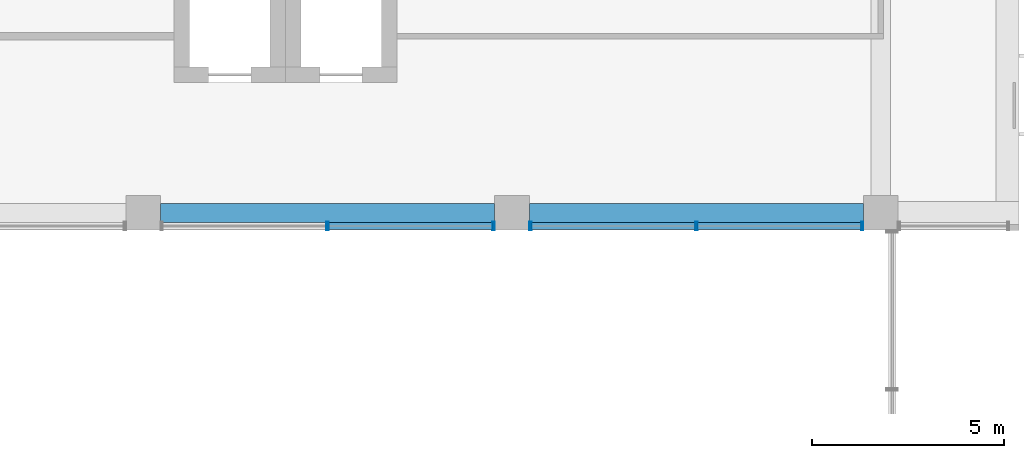
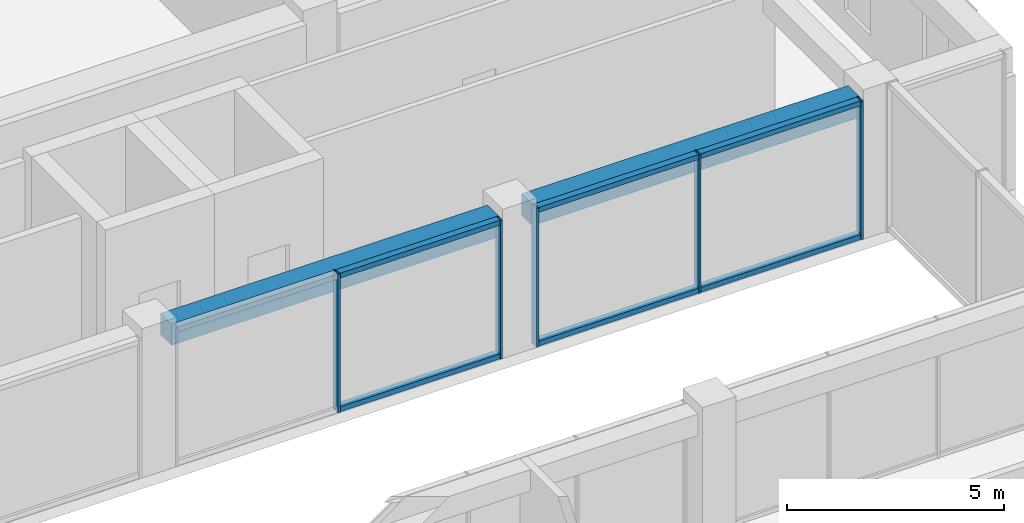
# One storey, part 18 of 37: 11 members, 2 beams, 2 elements without a shape of their own.
"""IFC4 building model written with IfcOpenShell, lengths in metres."""

from ifc_helpers import new_model, si_unit, direction, frame, origin, origin_2d, place, context, subcontext, project, spatial, rectangle, hollow_rectangle, extrude, material, layer, layer_set, material_profile, profile_set, type_object, element, aggregate, save


model = new_model("IFC4")

# Units and contexts
model_context = context("Model", 3, precision=1e-05, world=origin(), true_north=direction((0.0, 1.0)))
body_context = subcontext(model_context, "Body", "Model", "MODEL_VIEW")
ifc_project = project(units=[si_unit("LENGTHUNIT", "METRE"), si_unit("AREAUNIT", "SQUARE_METRE"), si_unit("VOLUMEUNIT", "CUBIC_METRE"), si_unit("PLANEANGLEUNIT", "RADIAN"), si_unit("MASSUNIT", "GRAM", prefix="KILO")], contexts=[model_context])

# Site, building, storey
site_placement = place(None, origin())
site = spatial("IfcSite", under=ifc_project, at=site_placement, CompositionType="ELEMENT")
building_placement = place(site_placement, origin())
building = spatial("IfcBuilding", under=site, at=building_placement, Name="Nzadi Deep Aquarium and Research Tower", CompositionType="ELEMENT")
storey_placement = place(building_placement, frame((0.0, 0.0, 57.10009765625)))
storey = spatial("IfcBuildingStorey", under=building, at=storey_placement, Name="L11", CompositionType="ELEMENT", Elevation=57.10009765625)

# Curtain wall, members
ifc_material_1 = material(Name="Aluminium unitised frame deep", Category="aluminium")
ifc_layer = layer(ifc_material_1, 0.22509765625)
ifc_layer_set = layer_set([ifc_layer], Name="Aluminium unitised frame deep")
curtain_wall_type = type_object("IfcCurtainWallType", Name="Curtain wall Unitised Deep 225", PredefinedType="NOTDEFINED", material=ifc_layer_set)
curtain_wall_1_placement = place(storey_placement, origin())
curtain_wall_1 = element("IfcCurtainWall", 1, at=curtain_wall_1_placement, inside=storey, type_object=curtain_wall_type, Name="Unitised curtain wall blade B south L11", PredefinedType="NOTDEFINED")
ifc_material_2 = material(Name="Aluminium unitised frame deep", Category="aluminium")
ifc_material_profile_1 = material_profile(ifc_material_2, hollow_rectangle(XDim=0.22509765625, YDim=0.06005859375, WallThickness=0.0048828125, at=origin_2d()))
ifc_profile_set_1 = profile_set([ifc_material_profile_1], Name="Aluminium unitised frame deep")
member_type_1 = type_object("IfcMemberType", Name="Mullion 60x225 Unitised Deep", PredefinedType="MULLION", material=ifc_profile_set_1)
member_1_placement = place(storey_placement, frame((33.60009765625, 27.262451171875, 0.0), z_axis=(0.0, 0.0, 1.0), x_axis=(0.0, 1.0, 0.0)))
member_1 = element("IfcMember", 2, at=member_1_placement, type_object=member_type_1, Name="CW143 mullion 2", PredefinedType="MULLION", context=body_context, shape_type="SweptSolid", body=[
    extrude(hollow_rectangle(XDim=0.22509765625, YDim=0.06005859375, WallThickness=0.0048828125, at=origin_2d()), origin(), (0.0, 0.0, 1.0), 3.89990234375),
])
member_2_placement = place(storey_placement, frame((37.919921875, 27.262451171875, 0.0), z_axis=(0.0, 0.0, 1.0), x_axis=(0.0, 1.0, 0.0)))
member_2 = element("IfcMember", 3, at=member_2_placement, type_object=member_type_1, Name="CW143 mullion 3", PredefinedType="MULLION", context=body_context, shape_type="SweptSolid", body=[
    extrude(hollow_rectangle(XDim=0.22509765625, YDim=0.06005859375, WallThickness=0.0048828125, at=origin_2d()), origin(), (0.0, 0.0, 1.0), 3.89990234375),
])

curtain_wall_2_placement = place(storey_placement, origin())
curtain_wall_2 = element("IfcCurtainWall", 4, at=curtain_wall_2_placement, inside=storey, type_object=curtain_wall_type, Name="Unitised curtain wall blade B south L11", PredefinedType="NOTDEFINED")
member_3_placement = place(storey_placement, frame((38.8798828125, 27.262451171875, 0.0), z_axis=(0.0, 0.0, 1.0), x_axis=(0.0, 1.0, 0.0)))
member_3 = element("IfcMember", 5, at=member_3_placement, type_object=member_type_1, Name="CW144 mullion 1", PredefinedType="MULLION", context=body_context, shape_type="SweptSolid", body=[
    extrude(hollow_rectangle(XDim=0.22509765625, YDim=0.06005859375, WallThickness=0.0048828125, at=origin_2d()), origin(), (0.0, 0.0, 1.0), 3.89990234375),
])
member_4_placement = place(storey_placement, frame((43.199951171875, 27.262451171875, 0.0), z_axis=(0.0, 0.0, 1.0), x_axis=(0.0, 1.0, 0.0)))
member_4 = element("IfcMember", 6, at=member_4_placement, type_object=member_type_1, Name="CW144 mullion 2", PredefinedType="MULLION", context=body_context, shape_type="SweptSolid", body=[
    extrude(hollow_rectangle(XDim=0.22509765625, YDim=0.06005859375, WallThickness=0.0048828125, at=origin_2d()), origin(), (0.0, 0.0, 1.0), 3.89990234375),
])
member_5_placement = place(storey_placement, frame((47.52001953125, 27.262451171875, 0.0), z_axis=(0.0, 0.0, 1.0), x_axis=(0.0, 1.0, 0.0)))
member_5 = element("IfcMember", 7, at=member_5_placement, type_object=member_type_1, Name="CW144 mullion 3", PredefinedType="MULLION", context=body_context, shape_type="SweptSolid", body=[
    extrude(hollow_rectangle(XDim=0.22509765625, YDim=0.06005859375, WallThickness=0.0048828125, at=origin_2d()), origin(), (0.0, 0.0, 1.0), 3.89990234375),
])

# Beams
ifc_material_3 = material(Name="Concrete C35/45", Category="concrete")
ifc_material_profile_2 = material_profile(ifc_material_3, rectangle(XDim=0.5, YDim=0.60009765625, at=origin_2d()))
ifc_profile_set_2 = profile_set([ifc_material_profile_2], Name="Concrete C35/45")
beam_type = type_object("IfcBeamType", Name="RC 500x600", PredefinedType="BEAM", material=ifc_profile_set_2)
for number, where, z_axis, x_axis, name in (
    (8, (29.25, 27.60009765625, 3.599853515625), (1.0, 0.0, 0.0), (0.0, 1.0, 0.0), "B-Z1-L11-L4-4"),
    (9, (38.85009765625, 27.60009765625, 3.599853515625), (1.0, 0.0, 0.0), (0.0, 1.0, 0.0), "B-Z1-L11-L4-5"),
):
    element("IfcBeam", number, at=place(storey_placement, frame(where, z_axis=z_axis, x_axis=x_axis)), inside=storey, type_object=beam_type, Name=name, PredefinedType="BEAM", context=body_context, shape_type="SweptSolid", body=[
        extrude(rectangle(XDim=0.5, YDim=0.60009765625, at=origin_2d()), origin(), (0.0, 0.0, 1.0), 8.699951171875),
    ])

# Member
ifc_material_4 = material(Name="Aluminium unitised frame deep", Category="aluminium")
ifc_material_profile_3 = material_profile(ifc_material_4, hollow_rectangle(XDim=0.179931640625, YDim=0.139892578125, WallThickness=0.0048828125, at=origin_2d()))
ifc_profile_set_3 = profile_set([ifc_material_profile_3], Name="Aluminium unitised frame deep")
member_type_2 = type_object("IfcMemberType", Name="Transom 140x180 Unitised Deep", PredefinedType="MULLION", material=ifc_profile_set_3)
member_6_placement = place(storey_placement, frame((33.6298828125, 27.262451171875, 0.06982421875), z_axis=(1.0, 0.0, 0.0), x_axis=(0.0, 1.0, 0.0)))
member_6 = element("IfcMember", 10, at=member_6_placement, type_object=member_type_2, Name="CW143 transom 2.1", PredefinedType="MULLION", context=body_context, shape_type="SweptSolid", body=[
    extrude(hollow_rectangle(XDim=0.179931640625, YDim=0.139892578125, WallThickness=0.0048828125, at=origin_2d()), origin(), (0.0, 0.0, 1.0), 4.260009765625),
])

member_7_placement = place(storey_placement, frame((33.6298828125, 27.262451171875, 3.829833984375), z_axis=(1.0, 0.0, 0.0), x_axis=(0.0, 1.0, 0.0)))
member_7 = element("IfcMember", 11, at=member_7_placement, type_object=member_type_2, Name="CW143 transom 2.2", PredefinedType="MULLION", context=body_context, shape_type="SweptSolid", body=[
    extrude(hollow_rectangle(XDim=0.179931640625, YDim=0.139892578125, WallThickness=0.0048828125, at=origin_2d()), origin(), (0.0, 0.0, 1.0), 4.260009765625),
])

aggregate(curtain_wall_1, [member_1, member_2, member_6, member_7])

member_8_placement = place(storey_placement, frame((38.909912109375, 27.262451171875, 0.06982421875), z_axis=(1.0, 0.0, 0.0), x_axis=(0.0, 1.0, 0.0)))
member_8 = element("IfcMember", 12, at=member_8_placement, type_object=member_type_2, Name="CW144 transom 1.1", PredefinedType="MULLION", context=body_context, shape_type="SweptSolid", body=[
    extrude(hollow_rectangle(XDim=0.179931640625, YDim=0.139892578125, WallThickness=0.0048828125, at=origin_2d()), origin(), (0.0, 0.0, 1.0), 4.260009765625),
])

member_9_placement = place(storey_placement, frame((38.909912109375, 27.262451171875, 3.829833984375), z_axis=(1.0, 0.0, 0.0), x_axis=(0.0, 1.0, 0.0)))
member_9 = element("IfcMember", 13, at=member_9_placement, type_object=member_type_2, Name="CW144 transom 1.2", PredefinedType="MULLION", context=body_context, shape_type="SweptSolid", body=[
    extrude(hollow_rectangle(XDim=0.179931640625, YDim=0.139892578125, WallThickness=0.0048828125, at=origin_2d()), origin(), (0.0, 0.0, 1.0), 4.260009765625),
])

member_10_placement = place(storey_placement, frame((43.22998046875, 27.262451171875, 0.06982421875), z_axis=(1.0, 0.0, 0.0), x_axis=(0.0, 1.0, 0.0)))
member_10 = element("IfcMember", 14, at=member_10_placement, type_object=member_type_2, Name="CW144 transom 2.1", PredefinedType="MULLION", context=body_context, shape_type="SweptSolid", body=[
    extrude(hollow_rectangle(XDim=0.179931640625, YDim=0.139892578125, WallThickness=0.0048828125, at=origin_2d()), origin(), (0.0, 0.0, 1.0), 4.260009765625),
])

member_11_placement = place(storey_placement, frame((43.22998046875, 27.262451171875, 3.829833984375), z_axis=(1.0, 0.0, 0.0), x_axis=(0.0, 1.0, 0.0)))
member_11 = element("IfcMember", 15, at=member_11_placement, type_object=member_type_2, Name="CW144 transom 2.2", PredefinedType="MULLION", context=body_context, shape_type="SweptSolid", body=[
    extrude(hollow_rectangle(XDim=0.179931640625, YDim=0.139892578125, WallThickness=0.0048828125, at=origin_2d()), origin(), (0.0, 0.0, 1.0), 4.260009765625),
])

aggregate(curtain_wall_2, [member_3, member_4, member_5, member_8, member_9, member_10, member_11])

save(model, "model.ifc")
